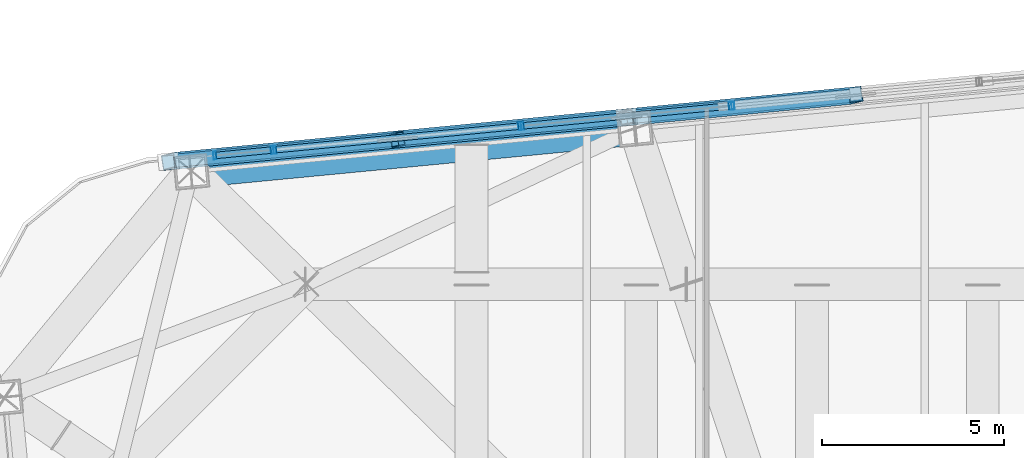
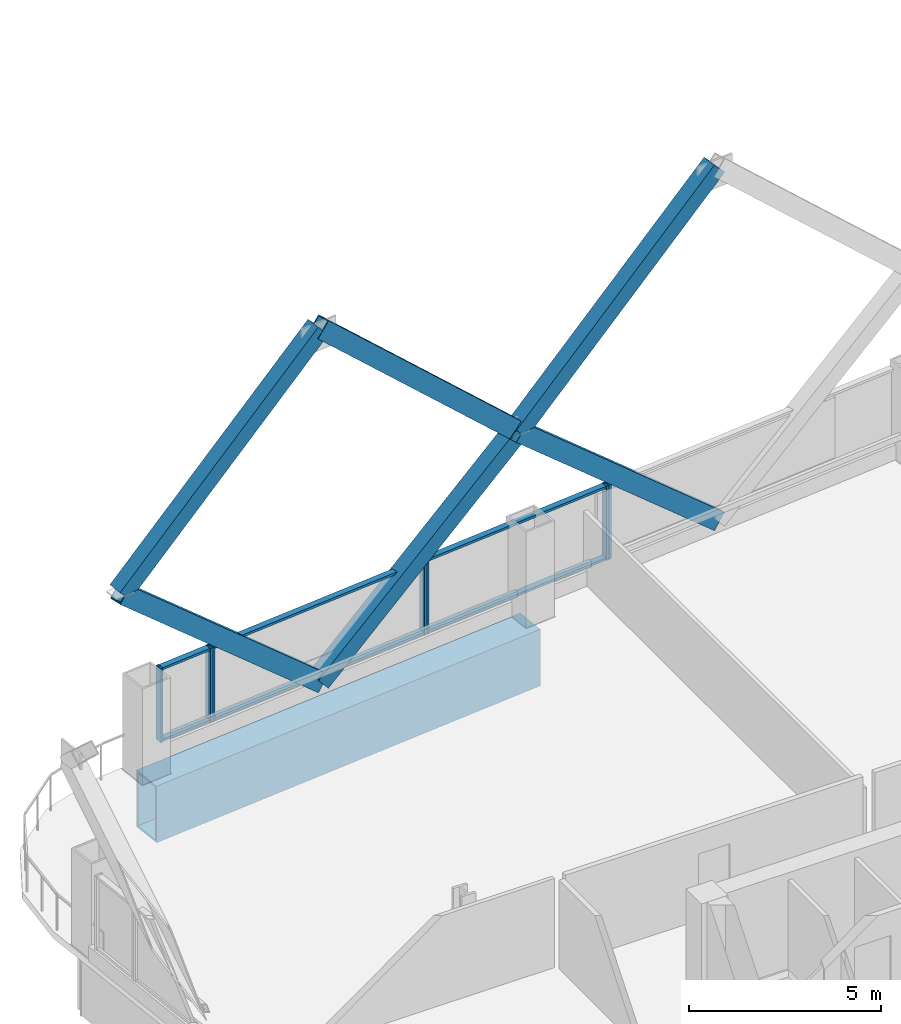
# One storey, part 26 of 42: 19 members, 1 beam, 4 elements without a shape of their own.
"""IFC4 building model written with IfcOpenShell, lengths in metres."""

from ifc_helpers import new_model, si_unit, direction, frame, origin, origin_2d, place, context, subcontext, project, spatial, hollow_rectangle, extrude, material, layer, layer_set, material_profile, profile_set, type_object, element, aggregate, save


model = new_model("IFC4")

# Units and contexts
model_context = context("Model", 3, precision=1e-05, world=origin(), true_north=direction((0.0, 1.0)))
body_context = subcontext(model_context, "Body", "Model", "MODEL_VIEW")
ifc_project = project(units=[si_unit("LENGTHUNIT", "METRE"), si_unit("AREAUNIT", "SQUARE_METRE"), si_unit("VOLUMEUNIT", "CUBIC_METRE"), si_unit("PLANEANGLEUNIT", "RADIAN"), si_unit("MASSUNIT", "GRAM", prefix="KILO")], contexts=[model_context])

# Site, building, storey
site_placement = place(None, origin())
site = spatial("IfcSite", under=ifc_project, at=site_placement, CompositionType="ELEMENT")
building_placement = place(site_placement, origin())
building = spatial("IfcBuilding", under=site, at=building_placement, Name="Qhalaya Broadcast Tower", CompositionType="ELEMENT")
storey_placement = place(building_placement, frame((0.0, 0.0, 69.449951171875)))
storey = spatial("IfcBuildingStorey", under=building, at=storey_placement, Name="L19", CompositionType="ELEMENT", Elevation=69.449951171875)

# Beam
ifc_material_1 = material(Name="Structural Steel ASTM A572 Grade 50", Category="steel")
ifc_material_profile_1 = material_profile(ifc_material_1, hollow_rectangle(XDim=0.89990234375, YDim=1.800048828125, WallThickness=0.06005859375, at=origin_2d()), Name="BOX 900x1800x60")
ifc_profile_set_1 = profile_set([ifc_material_profile_1], Name="Structural Steel ASTM A572 Grade 50")
beam_type = type_object("IfcBeamType", Name="Block Cantilever Transfer Box Girder TG1", PredefinedType="USERDEFINED", material=ifc_profile_set_1)
beam_placement = place(storey_placement, frame((-4.875, 26.941162109375, -1.119873046875), z_axis=(-0.99539563662, -0.095851586307, 0.0), x_axis=(0.095851586307, -0.99539563662, 0.0)))
element("IfcBeam", 1, at=beam_placement, inside=storey, type_object=beam_type, Name="L19 TG1 L19-SPR-11", ObjectType="GIRDER", PredefinedType="USERDEFINED", context=body_context, shape_type="SweptSolid", body=[
    extrude(hollow_rectangle(XDim=0.89990234375, YDim=1.800048828125, WallThickness=0.06005859375, at=origin_2d()), origin(), (0.0, 0.0, 1.0), 12.2666015625),
])

# Members
ifc_material_profile_2 = material_profile(ifc_material_1, hollow_rectangle(XDim=0.419921875, YDim=0.550048828125, WallThickness=0.028076171875, at=origin_2d()), Name="BOX 420x550x28")
ifc_profile_set_2 = profile_set([ifc_material_profile_2], Name="Structural Steel ASTM A572 Grade 50")
member_type_1 = type_object("IfcMemberType", Name="Exoskeleton Diamond Diagonal Mid-Low EX2", PredefinedType="BRACE", material=ifc_profile_set_2)
member_1_placement = place(storey_placement, frame((1.197509765625, 27.867431640625, 0.360107421875), z_axis=(-0.758637209183, -0.073037413912, 0.647406457345), x_axis=(0.157155783857, -0.98486851796, 0.073048353381)))
element("IfcMember", 2, at=member_1_placement, inside=storey, type_object=member_type_1, Name="B2 Exoskeleton Diamond Brace N2-D2", PredefinedType="BRACE", context=body_context, shape_type="SweptSolid", body=[
    extrude(hollow_rectangle(XDim=0.419921875, YDim=0.550048828125, WallThickness=0.028076171875, at=origin_2d()), origin(), (0.0, 0.0, 1.0), 8.309814453125),
])
member_2_placement = place(storey_placement, frame((-5.106689453125, 27.260498046875, 5.739990234375), z_axis=(0.730619555004, 0.070340028415, 0.679151931638), x_axis=(-0.160184449091, 0.984576934745, 0.070350563873)))
element("IfcMember", 3, at=member_2_placement, inside=storey, type_object=member_type_1, Name="B2 Exoskeleton Diamond Brace N2-D4", PredefinedType="BRACE", context=body_context, shape_type="SweptSolid", body=[
    extrude(hollow_rectangle(XDim=0.419921875, YDim=0.550048828125, WallThickness=0.028076171875, at=origin_2d()), origin(), (0.0, 0.0, 1.0), 8.628662109375),
])
for number, where, z_axis, x_axis, name in (
    (4, (-11.410888671875, 26.6533203125, 0.360107421875), (0.758635580976, 0.073066636585, 0.647405067864), (-0.157193441444, 0.984862499798, 0.073048466507), "B2 Exoskeleton Diamond Brace N3-D1"),
    (5, (-11.410888671875, 26.6533203125, 0.360107421875), (-0.758637209183, -0.073037413912, 0.647406457345), (0.157155783857, -0.98486851796, 0.073048353381), "B2 Exoskeleton Diamond Brace N3-D2"),
):
    element("IfcMember", number, at=place(storey_placement, frame(where, z_axis=z_axis, x_axis=x_axis)), inside=storey, type_object=member_type_1, Name=name, PredefinedType="BRACE", context=body_context, shape_type="SweptSolid", body=[
        extrude(hollow_rectangle(XDim=0.419921875, YDim=0.550048828125, WallThickness=0.028076171875, at=origin_2d()), origin(), (0.0, 0.0, 1.0), 8.309814453125),
    ])
for number, where, z_axis, x_axis, name in (
    (6, (-5.106689453125, 27.260498046875, 5.739990234375), (-0.730618100613, -0.070368182799, 0.6791505797), (0.160222099068, -0.984570800026, 0.070350683768), "B2 Exoskeleton Diamond Brace N3-D3"),
    (7, (-17.715087890625, 26.04638671875, 5.739990234375), (0.730619555004, 0.070340028415, 0.679151931638), (-0.160184449091, 0.984576934745, 0.070350563873), "B2 Exoskeleton Diamond Brace N3-D4"),
):
    element("IfcMember", number, at=place(storey_placement, frame(where, z_axis=z_axis, x_axis=x_axis)), inside=storey, type_object=member_type_1, Name=name, PredefinedType="BRACE", context=body_context, shape_type="SweptSolid", body=[
        extrude(hollow_rectangle(XDim=0.419921875, YDim=0.550048828125, WallThickness=0.028076171875, at=origin_2d()), origin(), (0.0, 0.0, 1.0), 8.628662109375),
    ])

# Curtain wall, member
ifc_material_2 = material(Name="Fired Architectural Terracotta", Category="masonry")
ifc_layer_1 = layer(ifc_material_2, 0.219970703125, Name="Fired Architectural Terracotta")
ifc_layer_set_1 = layer_set([ifc_layer_1], Name="Fired Architectural Terracotta")
curtain_wall_type_1 = type_object("IfcCurtainWallType", Name="Block-Cap Unitised Terracotta Spandrel Wall CW-07", PredefinedType="NOTDEFINED", material=ifc_layer_set_1)
curtain_wall_1_placement = place(storey_placement, origin())
curtain_wall_1 = element("IfcCurtainWall", 8, at=curtain_wall_1_placement, inside=storey, type_object=curtain_wall_type_1, Name="L19 Unitised Curtain Wall L19-CW-N4", PredefinedType="NOTDEFINED")
ifc_material_3 = material(Name="Anodised Aluminium 6063-T6", Category="aluminium")
ifc_material_profile_3 = material_profile(ifc_material_3, hollow_rectangle(XDim=0.074951171875, YDim=0.219970703125, WallThickness=0.00390625, at=origin_2d()), Name="ALU-MUL 75x220x4")
ifc_profile_set_3 = profile_set([ifc_material_profile_3], Name="Anodised Aluminium 6063-T6")
member_type_2 = type_object("IfcMemberType", Name="Unitised Curtain-Wall Mullion M01", PredefinedType="MULLION", material=ifc_profile_set_3)
member_3_placement = place(storey_placement, frame((-2.17529296875, 27.5830078125, 0.47998046875), z_axis=(0.0, 0.0, 1.0), x_axis=(-0.995395768185, -0.095850220023, 0.0)))
member_3 = element("IfcMember", 9, at=member_3_placement, type_object=member_type_2, Name="CW-07 mullion 2", PredefinedType="MULLION", context=body_context, shape_type="SweptSolid", body=[
    extrude(hollow_rectangle(XDim=0.074951171875, YDim=0.219970703125, WallThickness=0.00390625, at=origin_2d()), origin(), (0.0, 0.0, 1.0), 2.35009765625),
])
aggregate(curtain_wall_1, [member_3])

# Curtain wall, members
ifc_material_4 = material(Name="Solar-Control Low-E Triple Glazing", Category="glass")
ifc_layer_2 = layer(ifc_material_4, 0.219970703125, Name="Solar-Control Low-E Triple Glazing")
ifc_layer_set_2 = layer_set([ifc_layer_2], Name="Solar-Control Low-E Triple Glazing")
curtain_wall_type_2 = type_object("IfcCurtainWallType", Name="Even-Block 4-Storey Double-Module Curtain Wall CW-03", PredefinedType="NOTDEFINED", material=ifc_layer_set_2)
curtain_wall_2_placement = place(storey_placement, origin())
curtain_wall_2 = element("IfcCurtainWall", 10, at=curtain_wall_2_placement, inside=storey, type_object=curtain_wall_type_2, Name="L19 Unitised Curtain Wall L19-CW-N5", PredefinedType="NOTDEFINED")
member_4_placement = place(storey_placement, frame((-2.249755859375, 27.57568359375, 0.47998046875), z_axis=(0.0, 0.0, 1.0), x_axis=(-0.995396371729, -0.095843952075, 0.0)))
member_4 = element("IfcMember", 11, at=member_4_placement, type_object=member_type_2, Name="CW-03 mullion 1", PredefinedType="MULLION", context=body_context, shape_type="SweptSolid", body=[
    extrude(hollow_rectangle(XDim=0.074951171875, YDim=0.219970703125, WallThickness=0.00390625, at=origin_2d()), origin(), (0.0, 0.0, 1.0), 2.35009765625),
])
member_5_placement = place(storey_placement, frame((-7.971435546875, 27.02490234375, 0.47998046875), z_axis=(0.0, 0.0, 1.0), x_axis=(-0.995396371729, -0.095843952075, 0.0)))
member_5 = element("IfcMember", 12, at=member_5_placement, type_object=member_type_2, Name="CW-03 mullion 2", PredefinedType="MULLION", context=body_context, shape_type="SweptSolid", body=[
    extrude(hollow_rectangle(XDim=0.074951171875, YDim=0.219970703125, WallThickness=0.00390625, at=origin_2d()), origin(), (0.0, 0.0, 1.0), 2.35009765625),
])

curtain_wall_3_placement = place(storey_placement, origin())
curtain_wall_3 = element("IfcCurtainWall", 13, at=curtain_wall_3_placement, inside=storey, type_object=curtain_wall_type_1, Name="L19 Unitised Curtain Wall L19-CW-N6", PredefinedType="NOTDEFINED")
member_6_placement = place(storey_placement, frame((-8.046142578125, 27.017578125, 0.47998046875), z_axis=(0.0, 0.0, 1.0), x_axis=(-0.995395819861, -0.095849683373, 0.0)))
member_6 = element("IfcMember", 14, at=member_6_placement, type_object=member_type_2, Name="CW-07 mullion 1", PredefinedType="MULLION", context=body_context, shape_type="SweptSolid", body=[
    extrude(hollow_rectangle(XDim=0.074951171875, YDim=0.219970703125, WallThickness=0.00390625, at=origin_2d()), origin(), (0.0, 0.0, 1.0), 2.35009765625),
])
member_7_placement = place(storey_placement, frame((-14.782958984375, 26.368896484375, 0.47998046875), z_axis=(0.0, 0.0, 1.0), x_axis=(-0.995395819861, -0.095849683373, 0.0)))
member_7 = element("IfcMember", 15, at=member_7_placement, type_object=member_type_2, Name="CW-07 mullion 2", PredefinedType="MULLION", context=body_context, shape_type="SweptSolid", body=[
    extrude(hollow_rectangle(XDim=0.074951171875, YDim=0.219970703125, WallThickness=0.00390625, at=origin_2d()), origin(), (0.0, 0.0, 1.0), 2.35009765625),
])

curtain_wall_4_placement = place(storey_placement, origin())
curtain_wall_4 = element("IfcCurtainWall", 16, at=curtain_wall_4_placement, inside=storey, type_object=curtain_wall_type_2, Name="L19 Unitised Curtain Wall L19-CW-N7", PredefinedType="NOTDEFINED")
member_8_placement = place(storey_placement, frame((-14.857421875, 26.36181640625, 0.47998046875), z_axis=(0.0, 0.0, 1.0), x_axis=(-0.995396232884, -0.095845394047, 0.0)))
member_8 = element("IfcMember", 17, at=member_8_placement, type_object=member_type_2, Name="CW-03 mullion 1", PredefinedType="MULLION", context=body_context, shape_type="SweptSolid", body=[
    extrude(hollow_rectangle(XDim=0.074951171875, YDim=0.219970703125, WallThickness=0.00390625, at=origin_2d()), origin(), (0.0, 0.0, 1.0), 2.35009765625),
])
member_9_placement = place(storey_placement, frame((-16.437255859375, 26.20947265625, 0.47998046875), z_axis=(0.0, 0.0, 1.0), x_axis=(-0.995396232884, -0.095845394047, 0.0)))
member_9 = element("IfcMember", 18, at=member_9_placement, type_object=member_type_2, Name="CW-03 mullion 2", PredefinedType="MULLION", context=body_context, shape_type="SweptSolid", body=[
    extrude(hollow_rectangle(XDim=0.074951171875, YDim=0.219970703125, WallThickness=0.00390625, at=origin_2d()), origin(), (0.0, 0.0, 1.0), 2.35009765625),
])

# Member
ifc_material_profile_4 = material_profile(ifc_material_3, hollow_rectangle(XDim=0.074951171875, YDim=0.179931640625, WallThickness=0.00390625, at=origin_2d()), Name="ALU-TRN 75x180x4")
ifc_profile_set_4 = profile_set([ifc_material_profile_4], Name="Anodised Aluminium 6063-T6")
member_type_3 = type_object("IfcMemberType", Name="Unitised Curtain-Wall Transom T01", PredefinedType="USERDEFINED", material=ifc_profile_set_4)
member_10_placement = place(storey_placement, frame((-2.287109375, 27.572021484375, 0.517578125), z_axis=(-0.995396878598, -0.095838687792, 0.0), x_axis=(0.0, 0.0, 1.0)))
member_10 = element("IfcMember", 19, at=member_10_placement, type_object=member_type_3, Name="CW-03 transom 1.1", ObjectType="TRANSOM", PredefinedType="USERDEFINED", context=body_context, shape_type="SweptSolid", body=[
    extrude(hollow_rectangle(XDim=0.074951171875, YDim=0.179931640625, WallThickness=0.00390625, at=origin_2d()), origin(), (0.0, 0.0, 1.0), 5.673095703125),
])

member_11_placement = place(storey_placement, frame((-2.287109375, 27.572021484375, 2.79248046875), z_axis=(-0.995396878598, -0.095838687792, 0.0), x_axis=(0.0, 0.0, 1.0)))
member_11 = element("IfcMember", 20, at=member_11_placement, type_object=member_type_3, Name="CW-03 transom 1.2", ObjectType="TRANSOM", PredefinedType="USERDEFINED", context=body_context, shape_type="SweptSolid", body=[
    extrude(hollow_rectangle(XDim=0.074951171875, YDim=0.179931640625, WallThickness=0.00390625, at=origin_2d()), origin(), (0.0, 0.0, 1.0), 5.673095703125),
])

aggregate(curtain_wall_2, [member_4, member_5, member_10, member_11])

member_12_placement = place(storey_placement, frame((-8.083251953125, 27.013916015625, 0.517578125), z_axis=(-0.99539839689, -0.095822917242, 0.0), x_axis=(0.0, 0.0, 1.0)))
member_12 = element("IfcMember", 21, at=member_12_placement, type_object=member_type_3, Name="CW-07 transom 1.1", ObjectType="TRANSOM", PredefinedType="USERDEFINED", context=body_context, shape_type="SweptSolid", body=[
    extrude(hollow_rectangle(XDim=0.074951171875, YDim=0.179931640625, WallThickness=0.00390625, at=origin_2d()), origin(), (0.0, 0.0, 1.0), 6.693115234375),
])

member_13_placement = place(storey_placement, frame((-8.083251953125, 27.013916015625, 2.79248046875), z_axis=(-0.99539839689, -0.095822917242, 0.0), x_axis=(0.0, 0.0, 1.0)))
member_13 = element("IfcMember", 22, at=member_13_placement, type_object=member_type_3, Name="CW-07 transom 1.2", ObjectType="TRANSOM", PredefinedType="USERDEFINED", context=body_context, shape_type="SweptSolid", body=[
    extrude(hollow_rectangle(XDim=0.074951171875, YDim=0.179931640625, WallThickness=0.00390625, at=origin_2d()), origin(), (0.0, 0.0, 1.0), 6.693115234375),
])

aggregate(curtain_wall_3, [member_6, member_7, member_12, member_13])

member_14_placement = place(storey_placement, frame((-14.894775390625, 26.358154296875, 0.517578125), z_axis=(-0.995390373601, -0.095906225778, 0.0), x_axis=(0.0, 0.0, 1.0)))
member_14 = element("IfcMember", 23, at=member_14_placement, type_object=member_type_3, Name="CW-03 transom 1.1", ObjectType="TRANSOM", PredefinedType="USERDEFINED", context=body_context, shape_type="SweptSolid", body=[
    extrude(hollow_rectangle(XDim=0.074951171875, YDim=0.179931640625, WallThickness=0.00390625, at=origin_2d()), origin(), (0.0, 0.0, 1.0), 1.51220703125),
])

member_15_placement = place(storey_placement, frame((-14.894775390625, 26.358154296875, 2.79248046875), z_axis=(-0.995390373601, -0.095906225778, 0.0), x_axis=(0.0, 0.0, 1.0)))
member_15 = element("IfcMember", 24, at=member_15_placement, type_object=member_type_3, Name="CW-03 transom 1.2", ObjectType="TRANSOM", PredefinedType="USERDEFINED", context=body_context, shape_type="SweptSolid", body=[
    extrude(hollow_rectangle(XDim=0.074951171875, YDim=0.179931640625, WallThickness=0.00390625, at=origin_2d()), origin(), (0.0, 0.0, 1.0), 1.51220703125),
])

aggregate(curtain_wall_4, [member_8, member_9, member_14, member_15])

save(model, "model.ifc")
